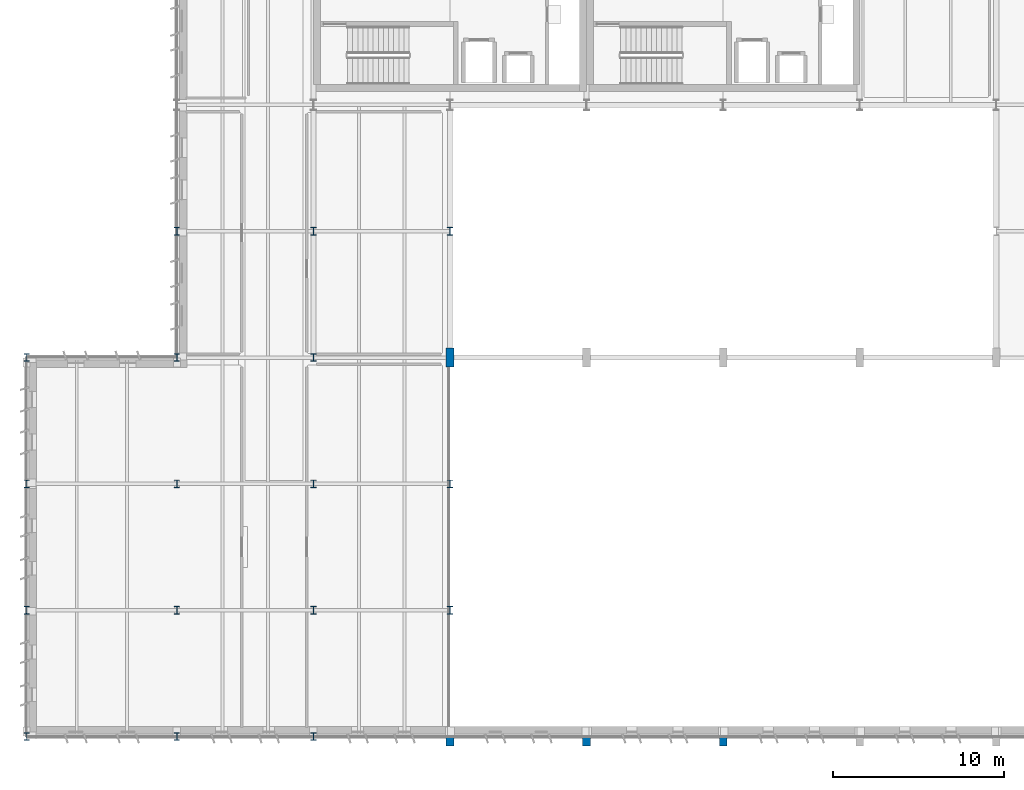
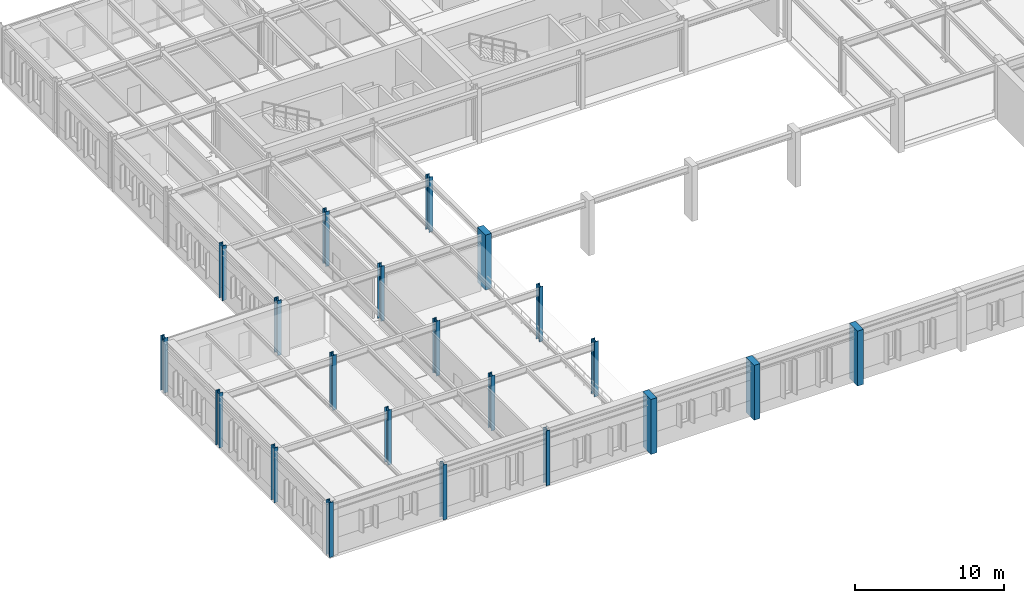
# One storey, part 1 of 75: 21 columns.
"""IFC4 building model written with IfcOpenShell, lengths in metres."""

from ifc_helpers import new_model, si_unit, direction, frame, origin, origin_2d, place, context, subcontext, project, spatial, rectangle, i_section, extrude, material, material_profile, profile_set, type_object, element, save


model = new_model("IFC4")

# Units and contexts
model_context = context("Model", 3, precision=1e-05, world=origin(), true_north=direction((0.0, 1.0)))
body_context = subcontext(model_context, "Body", "Model", "MODEL_VIEW")
ifc_project = project(units=[si_unit("LENGTHUNIT", "METRE"), si_unit("AREAUNIT", "SQUARE_METRE"), si_unit("VOLUMEUNIT", "CUBIC_METRE"), si_unit("PLANEANGLEUNIT", "RADIAN"), si_unit("MASSUNIT", "GRAM", prefix="KILO")], contexts=[model_context])

# Site, building, storey
site_placement = place(None, origin())
site = spatial("IfcSite", under=ifc_project, at=site_placement, CompositionType="ELEMENT")
building_placement = place(site_placement, origin())
building = spatial("IfcBuilding", under=site, at=building_placement, Name="Valkorina Park Police Headquarters", CompositionType="ELEMENT")
storey_placement = place(building_placement, frame((0.0, 0.0, 5.39990234375)))
storey = spatial("IfcBuildingStorey", under=building, at=storey_placement, Name="L02", CompositionType="ELEMENT", Elevation=5.39990234375)

# Columns
ifc_material_1 = material(Name="Concrete C40/50", Category="concrete")
ifc_material_profile_1 = material_profile(ifc_material_1, rectangle(XDim=0.449951171875, YDim=1.10009765625, at=origin_2d()), Name="RC PIER 450x1100")
ifc_profile_set_1 = profile_set([ifc_material_profile_1], Name="Concrete C40/50")
column_type_1 = type_object("IfcColumnType", Name="COL-RC-PIER-EXT", PredefinedType="PILASTER", material=ifc_profile_set_1)
for number, where, z_axis, x_axis, name in (
    (1, (24.800048828125, 0.0, 0.0), (0.0, 0.0, 1.0), (1.0, 0.0, 0.0), "L02 Column 0532"),
    (2, (24.800048828125, 22.199951171875, 0.0), (0.0, 0.0, 1.0), (1.0, 0.0, 0.0), "L02 Column 0535"),
    (3, (32.800048828125, 0.0, 0.0), (0.0, 0.0, 1.0), (1.0, 0.0, 0.0), "L02 Column 0545"),
    (4, (40.800048828125, 0.0, 0.0), (0.0, 0.0, 1.0), (1.0, 0.0, 0.0), "L02 Column 0558"),
):
    element("IfcColumn", number, at=place(storey_placement, frame(where, z_axis=z_axis, x_axis=x_axis)), inside=storey, type_object=column_type_1, Name=name, PredefinedType="PILASTER", context=body_context, shape_type="SweptSolid", body=[
        extrude(rectangle(XDim=0.449951171875, YDim=1.10009765625, at=origin_2d()), origin(), (0.0, 0.0, 1.0), 4.5),
    ])
ifc_material_2 = material(Name="Steel S355", Category="steel")
ifc_material_profile_2 = material_profile(ifc_material_2, i_section(OverallWidth=0.300048828125, OverallDepth=0.449951171875, WebThickness=0.013916015625, FlangeThickness=0.02587890625, FilletRadius=0.027099609375, at=origin_2d()), Name="HEB 450")
ifc_profile_set_2 = profile_set([ifc_material_profile_2], Name="Steel S355")
column_type_2 = type_object("IfcColumnType", Name="COL-S355-HEB450-EXT", PredefinedType="COLUMN", material=ifc_profile_set_2)
for number, where, z_axis, x_axis, name in (
    (5, (0.0, 0.0, 0.0), (0.0, 0.0, 1.0), (1.0, 0.0, 0.0), "L02 Column 0498"),
    (6, (0.0, 7.39990234375, 0.0), (0.0, 0.0, 1.0), (1.0, 0.0, 0.0), "L02 Column 0499"),
    (7, (0.0, 14.800048828125, 0.0), (0.0, 0.0, 1.0), (1.0, 0.0, 0.0), "L02 Column 0500"),
    (8, (0.0, 22.199951171875, 0.0), (0.0, 0.0, 1.0), (1.0, 0.0, 0.0), "L02 Column 0501"),
    (9, (8.800048828125, 0.0, 0.0), (0.0, 0.0, 1.0), (1.0, 0.0, 0.0), "L02 Column 0506"),
    (10, (8.800048828125, 22.199951171875, 0.0), (0.0, 0.0, 1.0), (1.0, 0.0, 0.0), "L02 Column 0509"),
    (11, (8.800048828125, 29.60009765625, 0.0), (0.0, 0.0, 1.0), (1.0, 0.0, 0.0), "L02 Column 0510"),
    (12, (16.800048828125, 0.0, 0.0), (0.0, 0.0, 1.0), (1.0, 0.0, 0.0), "L02 Column 0519"),
    (13, (24.800048828125, 7.39990234375, 0.0), (0.0, 0.0, 1.0), (1.0, 0.0, 0.0), "L02 Column 0533"),
    (14, (24.800048828125, 14.800048828125, 0.0), (0.0, 0.0, 1.0), (1.0, 0.0, 0.0), "L02 Column 0534"),
    (15, (24.800048828125, 29.60009765625, 0.0), (0.0, 0.0, 1.0), (1.0, 0.0, 0.0), "L02 Column 0536"),
):
    element("IfcColumn", number, at=place(storey_placement, frame(where, z_axis=z_axis, x_axis=x_axis)), inside=storey, type_object=column_type_2, Name=name, PredefinedType="COLUMN", context=body_context, shape_type="SweptSolid", body=[
        extrude(i_section(OverallWidth=0.300048828125, OverallDepth=0.449951171875, WebThickness=0.013916015625, FlangeThickness=0.02587890625, FilletRadius=0.027099609375, at=origin_2d()), origin(), (0.0, 0.0, 1.0), 4.5),
    ])
ifc_material_profile_3 = material_profile(ifc_material_2, i_section(OverallWidth=0.300048828125, OverallDepth=0.449951171875, WebThickness=0.013916015625, FlangeThickness=0.02587890625, FilletRadius=0.027099609375, at=origin_2d()), Name="HEB 450")
ifc_profile_set_3 = profile_set([ifc_material_profile_3], Name="Steel S355")
column_type_3 = type_object("IfcColumnType", Name="COL-S355-HEB450-INT", PredefinedType="COLUMN", material=ifc_profile_set_3)
for number, where, z_axis, x_axis, name in (
    (16, (8.800048828125, 7.39990234375, 0.0), (0.0, 0.0, 1.0), (1.0, 0.0, 0.0), "L02 Column 0507"),
    (17, (8.800048828125, 14.800048828125, 0.0), (0.0, 0.0, 1.0), (1.0, 0.0, 0.0), "L02 Column 0508"),
    (18, (16.800048828125, 7.39990234375, 0.0), (0.0, 0.0, 1.0), (1.0, 0.0, 0.0), "L02 Column 0520"),
    (19, (16.800048828125, 14.800048828125, 0.0), (0.0, 0.0, 1.0), (1.0, 0.0, 0.0), "L02 Column 0521"),
    (20, (16.800048828125, 22.199951171875, 0.0), (0.0, 0.0, 1.0), (1.0, 0.0, 0.0), "L02 Column 0522"),
    (21, (16.800048828125, 29.60009765625, 0.0), (0.0, 0.0, 1.0), (1.0, 0.0, 0.0), "L02 Column 0523"),
):
    element("IfcColumn", number, at=place(storey_placement, frame(where, z_axis=z_axis, x_axis=x_axis)), inside=storey, type_object=column_type_3, Name=name, PredefinedType="COLUMN", context=body_context, shape_type="SweptSolid", body=[
        extrude(i_section(OverallWidth=0.300048828125, OverallDepth=0.449951171875, WebThickness=0.013916015625, FlangeThickness=0.02587890625, FilletRadius=0.027099609375, at=origin_2d()), origin(), (0.0, 0.0, 1.0), 4.5),
    ])

save(model, "model.ifc")
